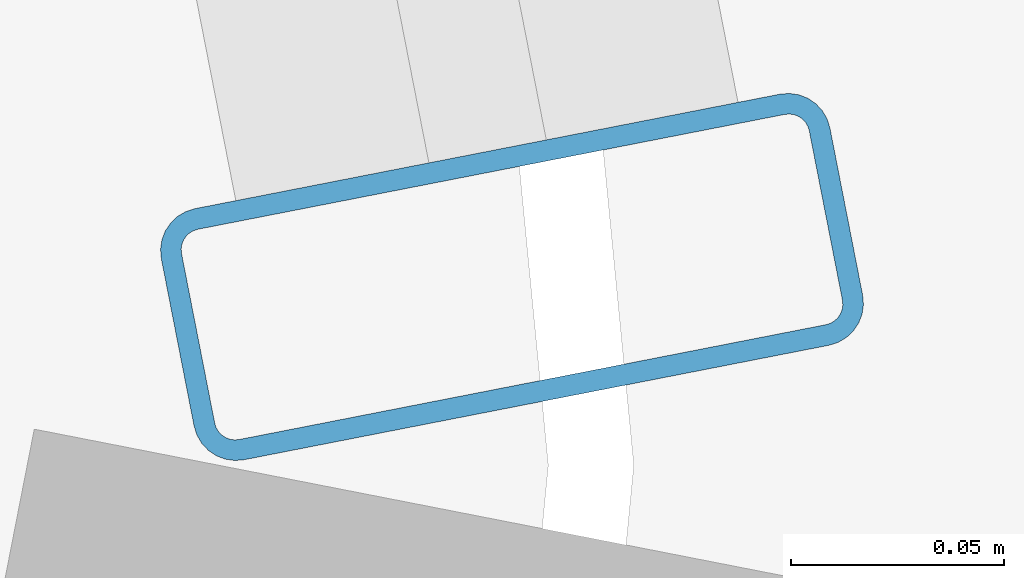
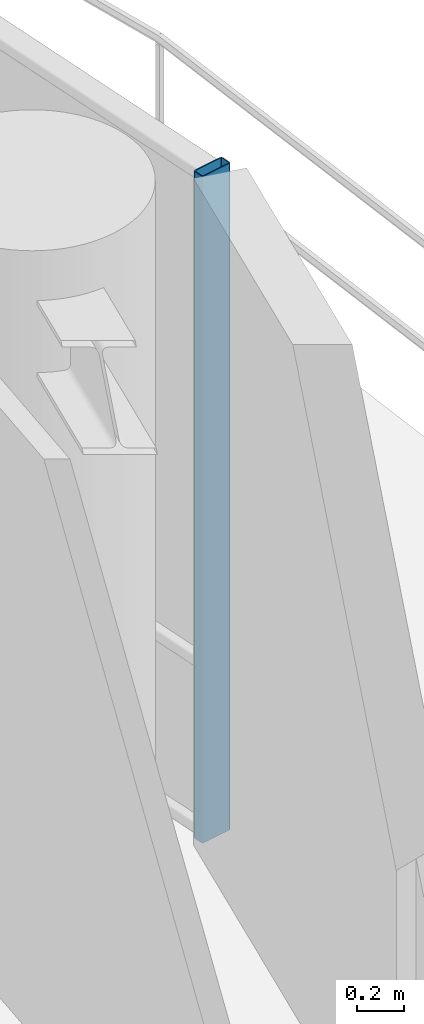
# One storey, part 14 of 31: 1 member, 1 element without a shape of its own.
"""IFC4 building model written with IfcOpenShell, lengths in metres."""

from ifc_helpers import new_model, si_unit, direction, frame, origin, origin_2d, place, context, subcontext, project, spatial, hollow_rectangle, extrude, material, layer, layer_set, material_profile, profile_set, type_object, element, aggregate, save


model = new_model("IFC4")

# Units and contexts
model_context = context("Model", 3, precision=1e-05, world=origin(), true_north=direction((0.0, 1.0)))
body_context = subcontext(model_context, "Body", "Model", "MODEL_VIEW")
ifc_project = project(units=[si_unit("LENGTHUNIT", "METRE"), si_unit("AREAUNIT", "SQUARE_METRE"), si_unit("VOLUMEUNIT", "CUBIC_METRE"), si_unit("PLANEANGLEUNIT", "RADIAN"), si_unit("MASSUNIT", "GRAM", prefix="KILO")], contexts=[model_context])

# Site, building, storey
site_placement = place(None, origin())
site = spatial("IfcSite", under=ifc_project, at=site_placement, CompositionType="ELEMENT")
building_placement = place(site_placement, origin())
building = spatial("IfcBuilding", under=site, at=building_placement, Name="Kelanora Arch Commons", CompositionType="ELEMENT")
storey_placement = place(building_placement, frame((0.0, 0.0, 196.949951171875)))
storey = spatial("IfcBuildingStorey", under=building, at=storey_placement, Name="L50", CompositionType="ELEMENT", Elevation=196.949951171875)

# Curtain wall, member
ifc_material_1 = material(Name="Terracotta ceramic-fritted low-E glass and aluminium", Category="masonry")
ifc_layer = layer(ifc_material_1, 0.175048828125)
ifc_layer_set = layer_set([ifc_layer], Name="Terracotta ceramic-fritted low-E glass and aluminium")
curtain_wall_type = type_object("IfcCurtainWallType", Name="CW-SYS-02", PredefinedType="NOTDEFINED", material=ifc_layer_set)
curtain_wall_placement = place(storey_placement, origin())
curtain_wall = element("IfcCurtainWall", 1, at=curtain_wall_placement, inside=storey, type_object=curtain_wall_type, Name="Unitised Curtain Wall L50-B00", PredefinedType="NOTDEFINED")
ifc_material_2 = material(Name="Powder-coated aluminium terracotta", Category="masonry")
ifc_material_profile = material_profile(ifc_material_2, hollow_rectangle(XDim=0.159912109375, YDim=0.06005859375, WallThickness=0.0048828125, InnerFilletRadius=0.0048828125, OuterFilletRadius=0.010009765625, at=origin_2d()), Name="CWM160x60")
ifc_profile_set = profile_set([ifc_material_profile], Name="Powder-coated aluminium terracotta")
member_type = type_object("IfcMemberType", Name="CWM-STD", PredefinedType="MULLION", material=ifc_profile_set)
member_placement = place(storey_placement, frame((96.19140625, 58.044189453125, 0.0), z_axis=(0.0, 0.0, 1.0), x_axis=(-0.981381438349, -0.192068926335, 0.0)))
member = element("IfcMember", 2, at=member_placement, type_object=member_type, Name="CW-02 mullion 1", PredefinedType="MULLION", context=body_context, shape_type="SweptSolid", body=[
    extrude(hollow_rectangle(XDim=0.159912109375, YDim=0.06005859375, WallThickness=0.0048828125, InnerFilletRadius=0.0048828125, OuterFilletRadius=0.010009765625, at=origin_2d()), origin(), (0.0, 0.0, 1.0), 3.47509765625),
])
aggregate(curtain_wall, [member])

save(model, "model.ifc")
